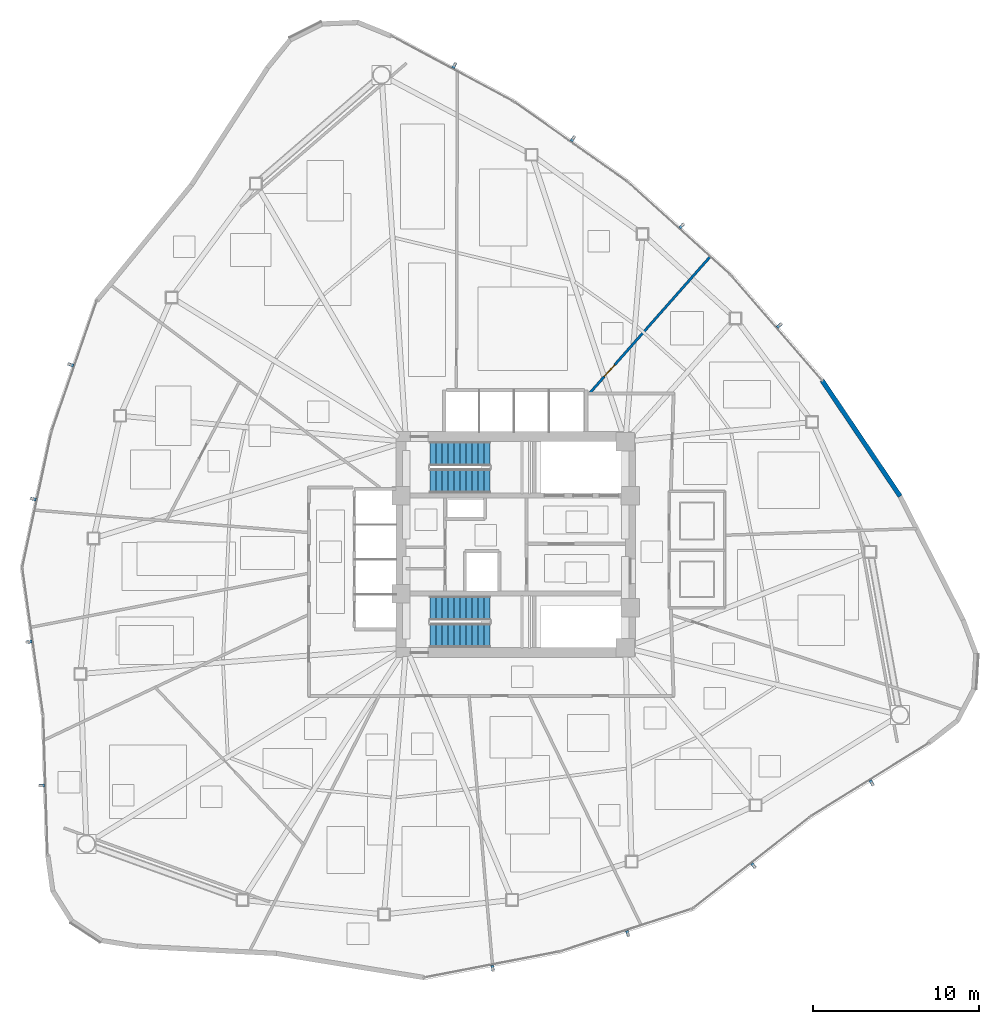
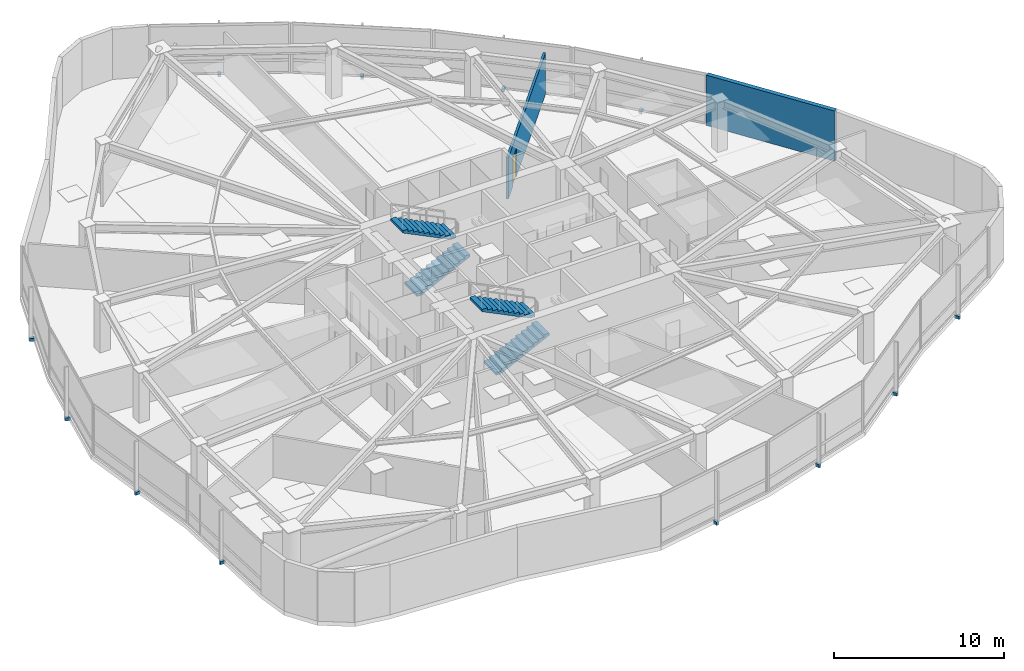
# One storey, part 13 of 17: 12 discrete accessories, 4 stair flights, 2 walls, 1 door, 1 opening, 2 elements without a shape of their own.
"""IFC4 building model written with IfcOpenShell, lengths in metres."""

from ifc_helpers import new_model, si_unit, direction, frame, frame_2d, origin, origin_2d, place, context, subcontext, project, spatial, polyline, rectangle, outline, extrude, source, transform, mapped, material, layer, layer_set, type_object, type_shapes, element, fill, aggregate, save


model = new_model("IFC4")

# Units and contexts
model_context = context("Model", 3, precision=1e-05, world=origin(), true_north=direction((0.0, 1.0)))
body_context = subcontext(model_context, "Body", "Model", "MODEL_VIEW")
ifc_project = project(units=[si_unit("LENGTHUNIT", "METRE"), si_unit("AREAUNIT", "SQUARE_METRE"), si_unit("VOLUMEUNIT", "CUBIC_METRE"), si_unit("PLANEANGLEUNIT", "RADIAN"), si_unit("MASSUNIT", "GRAM", prefix="KILO")], contexts=[model_context])

# Site, building, storey
site_placement = place(None, origin())
site = spatial("IfcSite", under=ifc_project, at=site_placement, CompositionType="ELEMENT")
building_placement = place(site_placement, origin())
building = spatial("IfcBuilding", under=site, at=building_placement, Name="Tavelor Broadcast Tower", CompositionType="ELEMENT")
storey_placement = place(building_placement, frame((0.0, 0.0, 86.10009765625)))
storey = spatial("IfcBuildingStorey", under=building, at=storey_placement, Name="L20", CompositionType="ELEMENT", Elevation=86.10009765625)

# Wall
ifc_material_1 = material(Name="Precast Concrete C40/50", Category="concrete")
ifc_layer_1 = layer(ifc_material_1, 0.280029296875)
ifc_layer_set_1 = layer_set([ifc_layer_1], Name="Precast Concrete C40/50")
wall_type_1 = type_object("IfcWallType", Name="Insulated Precast Terracotta Facade Wall 280 mm", PredefinedType="STANDARD", material=ifc_layer_set_1)
wall_1_placement = place(storey_placement, frame((73.13720703125, 47.91748046875, 0.0), z_axis=(0.0, 0.0, 1.0), x_axis=(-0.558811747719, 0.829294537913, 0.0)))
element("IfcWall", 1, at=wall_1_placement, inside=storey, type_object=wall_type_1, Name="L20 Rounded Corner Structural Cladding Pier 26", PredefinedType="STANDARD", context=body_context, shape_type="SweptSolid", body=[
    extrude(rectangle(XDim=8.399658203125, YDim=0.280029296875, at=frame_2d((4.19970703125, 0.0))), origin(), (0.0, 0.0, 1.0), 3.599853515625),
])

# Wall, opening, door
ifc_material_2 = material(Name="Gypsum Acoustic Plasterboard 150 mm", Category="gypsum")
ifc_layer_2 = layer(ifc_material_2, 0.14990234375)
ifc_layer_set_2 = layer_set([ifc_layer_2], Name="Gypsum Acoustic Plasterboard 150 mm")
wall_type_2 = type_object("IfcWallType", Name="Interior Acoustic Partition Wall 150 mm", PredefinedType="PARTITIONING", material=ifc_layer_set_2)
wall_2_placement = place(storey_placement, frame((54.434814453125, 54.10009765625, 0.0), z_axis=(0.0, 0.0, 1.0), x_axis=(0.661869690786, 0.74961891146, 0.0)))
wall_2 = element("IfcWall", 2, at=wall_2_placement, inside=storey, type_object=wall_type_2, Name="L20 Radial Compartment Wall 08", PredefinedType="PARTITIONING", context=body_context, shape_type="SweptSolid", body=[
    extrude(rectangle(XDim=11.0009765625, YDim=0.14990234375, at=frame_2d((5.50048828125, 0.0))), origin(), (0.0, 0.0, 1.0), 2.974853515625),
])
opening_placement = place(wall_2_placement, frame((1.35009765625, 0.0, 0.0)))
opening = element("IfcOpeningElement", 3, at=opening_placement, cuts=wall_2, Name="Opening DR18", PredefinedType="OPENING", context=body_context, shape_type="SweptSolid", body=[
    extrude(rectangle(XDim=0.949951171875, YDim=2.050048828125, at=frame_2d((0.47509765625, 1.02490234375))), frame((0.0, 0.0849609375, 0.0), z_axis=(0.0, -1.0, 0.0), x_axis=(1.0, 0.0, 0.0)), (0.0, 0.0, 1.0), 0.169921875),
])
ifc_material_3 = material(Name="Timber Solid Core Hardwood", Category="wood")
door_type = type_object("IfcDoorType", Name="Corridor Rated Compartment Door 950x2050", OperationType="NOTDEFINED", PredefinedType="DOOR", material=ifc_material_3)
door_placement = place(opening_placement, origin())
door = element("IfcDoor", 4, at=door_placement, inside=storey, type_object=door_type, Name="L20 Suite Connecting Door 8", OperationType="SINGLE_SWING_LEFT", OverallHeight=2.050048828125, OverallWidth=0.949951171875, PredefinedType="DOOR", context=body_context, shape_type="SweptSolid", body=[
    extrude(rectangle(XDim=0.949951171875, YDim=2.050048828125, at=frame_2d((0.47509765625, 1.02490234375))), frame((0.0, 0.02490234375, 0.0), z_axis=(0.0, -1.0, 0.0), x_axis=(1.0, 0.0, 0.0)), (0.0, 0.0, 1.0), 0.050048828125),
])
fill(opening, door)

# Stair, stair flights
ifc_material_4 = material(Name="Concrete C40/50", Category="concrete")
stair_type = type_object("IfcStairType", Name="Reinforced Concrete Protected Dogleg Stair 1450 mm", PredefinedType="HALF_TURN_STAIR", material=ifc_material_4)
stair_1_placement = place(storey_placement, origin())
stair_1 = element("IfcStair", 5, at=stair_1_placement, inside=storey, type_object=stair_type, Name="L20 Protected Core Exit Stair ST1", PredefinedType="HALF_TURN_STAIR")
stair_flight_type = type_object("IfcStairFlightType", Name="Reinforced Concrete Stair Flight 1450 mm", PredefinedType="STRAIGHT", material=ifc_material_4)
stair_flight_1_placement = place(storey_placement, frame((44.85009765625, 48.824951171875, 0.0), z_axis=(0.0, 0.0, 1.0), x_axis=(1.0, 0.0, 0.0)))
stair_flight_1 = element("IfcStairFlight", 6, at=stair_flight_1_placement, type_object=stair_flight_type, Name="ST1 flight 1", NumberOfRisers=11, NumberOfTreads=10, PredefinedType="STRAIGHT", RiserHeight=0.177272727, TreadLength=0.36, context=body_context, shape_type="SweptSolid", body=[
    extrude(outline(polyline([(0.0, 0.0), (0.0, 0.17724609375), (0.360107421875, 0.17724609375), (0.360107421875, 0.3544921875), (0.719970703125, 0.3544921875), (0.719970703125, 0.53173828125), (1.080078125, 0.53173828125), (1.080078125, 0.708984375), (1.43994140625, 0.708984375), (1.43994140625, 0.886474609375), (1.800048828125, 0.886474609375), (1.800048828125, 1.063720703125), (2.159912109375, 1.063720703125), (2.159912109375, 1.240966796875), (2.52001953125, 1.240966796875), (2.52001953125, 1.418212890625), (2.8798828125, 1.418212890625), (2.8798828125, 1.595458984375), (3.239990234375, 1.595458984375), (3.239990234375, 1.772705078125), (3.60009765625, 1.772705078125), (3.60009765625, 1.949951171875), (3.60009765625, 1.605712890625), (0.33935546875, 0.0), (0.0, 0.0)])), frame((0.0, 0.72509765625, 0.0), z_axis=(0.0, -1.0, 0.0), x_axis=(1.0, 0.0, 0.0)), (0.0, 0.0, 1.0), 1.449951171875),
])
stair_flight_2_placement = place(storey_placement, frame((48.449951171875, 50.47509765625, 1.949951171875), z_axis=(0.0, 0.0, 1.0), x_axis=(-1.0, 0.0, 0.0)))
stair_flight_2 = element("IfcStairFlight", 7, at=stair_flight_2_placement, type_object=stair_flight_type, Name="ST1 flight 2", NumberOfRisers=11, NumberOfTreads=10, PredefinedType="STRAIGHT", RiserHeight=0.177272727, TreadLength=0.36, context=body_context, shape_type="SweptSolid", body=[
    extrude(outline(polyline([(0.0, 0.0), (0.0, 0.17724609375), (0.360107421875, 0.17724609375), (0.360107421875, 0.3544921875), (0.719970703125, 0.3544921875), (0.719970703125, 0.53173828125), (1.080078125, 0.53173828125), (1.080078125, 0.708984375), (1.43994140625, 0.708984375), (1.43994140625, 0.886474609375), (1.800048828125, 0.886474609375), (1.800048828125, 1.063720703125), (2.159912109375, 1.063720703125), (2.159912109375, 1.240966796875), (2.52001953125, 1.240966796875), (2.52001953125, 1.418212890625), (2.8798828125, 1.418212890625), (2.8798828125, 1.595458984375), (3.239990234375, 1.595458984375), (3.239990234375, 1.772705078125), (3.60009765625, 1.772705078125), (3.60009765625, 1.949951171875), (3.60009765625, 1.605712890625), (0.33935546875, 0.0), (0.0, 0.0)])), frame((0.0, 0.72509765625, 0.0), z_axis=(0.0, -1.0, 0.0), x_axis=(1.0, 0.0, 0.0)), (0.0, 0.0, 1.0), 1.449951171875),
])
aggregate(stair_1, [stair_flight_1, stair_flight_2])

stair_2_placement = place(storey_placement, origin())
stair_2 = element("IfcStair", 8, at=stair_2_placement, inside=storey, type_object=stair_type, Name="L20 Protected Core Exit Stair ST2", PredefinedType="HALF_TURN_STAIR")
stair_flight_3_placement = place(storey_placement, frame((44.85009765625, 39.52490234375, 0.0), z_axis=(0.0, 0.0, 1.0), x_axis=(1.0, 0.0, 0.0)))
stair_flight_3 = element("IfcStairFlight", 9, at=stair_flight_3_placement, type_object=stair_flight_type, Name="ST2 flight 1", NumberOfRisers=11, NumberOfTreads=10, PredefinedType="STRAIGHT", RiserHeight=0.177272727, TreadLength=0.36, context=body_context, shape_type="SweptSolid", body=[
    extrude(outline(polyline([(0.0, 0.0), (0.0, 0.17724609375), (0.360107421875, 0.17724609375), (0.360107421875, 0.3544921875), (0.719970703125, 0.3544921875), (0.719970703125, 0.53173828125), (1.080078125, 0.53173828125), (1.080078125, 0.708984375), (1.43994140625, 0.708984375), (1.43994140625, 0.886474609375), (1.800048828125, 0.886474609375), (1.800048828125, 1.063720703125), (2.159912109375, 1.063720703125), (2.159912109375, 1.240966796875), (2.52001953125, 1.240966796875), (2.52001953125, 1.418212890625), (2.8798828125, 1.418212890625), (2.8798828125, 1.595458984375), (3.239990234375, 1.595458984375), (3.239990234375, 1.772705078125), (3.60009765625, 1.772705078125), (3.60009765625, 1.949951171875), (3.60009765625, 1.605712890625), (0.33935546875, 0.0), (0.0, 0.0)])), frame((0.0, 0.72509765625, 0.0), z_axis=(0.0, -1.0, 0.0), x_axis=(1.0, 0.0, 0.0)), (0.0, 0.0, 1.0), 1.449951171875),
])
stair_flight_4_placement = place(storey_placement, frame((48.449951171875, 41.175048828125, 1.949951171875), z_axis=(0.0, 0.0, 1.0), x_axis=(-1.0, 0.0, 0.0)))
stair_flight_4 = element("IfcStairFlight", 10, at=stair_flight_4_placement, type_object=stair_flight_type, Name="ST2 flight 2", NumberOfRisers=11, NumberOfTreads=10, PredefinedType="STRAIGHT", RiserHeight=0.177272727, TreadLength=0.36, context=body_context, shape_type="SweptSolid", body=[
    extrude(outline(polyline([(0.0, 0.0), (0.0, 0.17724609375), (0.360107421875, 0.17724609375), (0.360107421875, 0.3544921875), (0.719970703125, 0.3544921875), (0.719970703125, 0.53173828125), (1.080078125, 0.53173828125), (1.080078125, 0.708984375), (1.43994140625, 0.708984375), (1.43994140625, 0.886474609375), (1.800048828125, 0.886474609375), (1.800048828125, 1.063720703125), (2.159912109375, 1.063720703125), (2.159912109375, 1.240966796875), (2.52001953125, 1.240966796875), (2.52001953125, 1.418212890625), (2.8798828125, 1.418212890625), (2.8798828125, 1.595458984375), (3.239990234375, 1.595458984375), (3.239990234375, 1.772705078125), (3.60009765625, 1.772705078125), (3.60009765625, 1.949951171875), (3.60009765625, 1.605712890625), (0.33935546875, 0.0), (0.0, 0.0)])), frame((0.0, 0.72509765625, 0.0), z_axis=(0.0, -1.0, 0.0), x_axis=(1.0, 0.0, 0.0)), (0.0, 0.0, 1.0), 1.449951171875),
])
aggregate(stair_2, [stair_flight_3, stair_flight_4])

# Discrete accessories
ifc_material_5 = material(Name="Steel S355", Category="steel")
discrete_accessory_type = type_object("IfcDiscreteAccessoryType", Name="Stainless Baguette Outrigger Support Bracket 260x180", PredefinedType="BRACKET", material=ifc_material_5)
shared_shape = source(origin(), body_context, "Body", "SweptSolid", [
    extrude(rectangle(XDim=0.179931640625, YDim=0.340087890625, at=origin_2d()), origin(), (0.0, 0.0, 1.0), 0.216064453125),
])
type_shapes(discrete_accessory_type, [shared_shape])
for number, where, z_axis, x_axis, name in (
    (11, (23.220947265625, 55.828369140625, -0.25830078125), (0.0, 0.0, 1.0), (-0.326888029655, -0.94506307518, 0.0), "L20 Baguette Outrigger Bracket 193"),
    (12, (20.964111328125, 47.745361328125, -0.25830078125), (0.0, 0.0, 1.0), (-0.209959860863, -0.977710006508, 0.0), "L20 Baguette Outrigger Bracket 194"),
    (13, (20.7138671875, 39.147705078125, -0.25830078125), (0.0, 0.0, 1.0), (0.140382837472, -0.990097297715, 0.0), "L20 Baguette Outrigger Bracket 195"),
    (14, (21.475830078125, 30.495361328125, -0.25830078125), (0.0, 0.0, 1.0), (0.031061863564, -0.999517463895, 0.0), "L20 Baguette Outrigger Bracket 196"),
    (15, (48.612060546875, 19.51220703125, -0.25830078125), (0.0, 0.0, 1.0), (0.981892646112, 0.189438199716, 0.0), "L20 Baguette Outrigger Bracket 197"),
    (16, (56.740478515625, 21.59912109375, -0.25830078125), (0.0, 0.0, 1.0), (0.951701633602, 0.307024429971, 0.0), "L20 Baguette Outrigger Bracket 198"),
    (17, (64.311279296875, 25.68115234375, -0.25830078125), (0.0, 0.0, 1.0), (0.787257993304, 0.616623752364, 0.0), "L20 Baguette Outrigger Bracket 199"),
    (18, (71.42333984375, 30.667236328125, -0.25830078125), (0.0, 0.0, 1.0), (0.850076583478, 0.526659094883, 0.0), "L20 Baguette Outrigger Bracket 200"),
    (19, (65.86669921875, 58.190185546875, -0.25830078125), (0.0, 0.0, 1.0), (-0.655004616457, 0.755624875464, 0.0), "L20 Baguette Outrigger Bracket 201"),
    (20, (59.9951171875, 64.186279296875, -0.25830078125), (0.0, 0.0, 1.0), (-0.741741772739, 0.670685576537, 0.0), "L20 Baguette Outrigger Bracket 202"),
    (21, (53.44091796875, 69.427490234375, -0.25830078125), (0.0, 0.0, 1.0), (-0.817446605564, 0.576004381105, 0.0), "L20 Baguette Outrigger Bracket 203"),
    (22, (46.30078125, 73.837158203125, -0.25830078125), (0.0, 0.0, 1.0), (-0.881138447042, 0.472858369012, 0.0), "L20 Baguette Outrigger Bracket 204"),
):
    element("IfcDiscreteAccessory", number, at=place(storey_placement, frame(where, z_axis=z_axis, x_axis=x_axis)), inside=storey, type_object=discrete_accessory_type, Name=name, PredefinedType="BRACKET", context=body_context, shape_type="MappedRepresentation", body=[
        mapped(shared_shape, transform((0.0, 0.0, 0.0), scale=1.0)),
    ])

save(model, "model.ifc")
